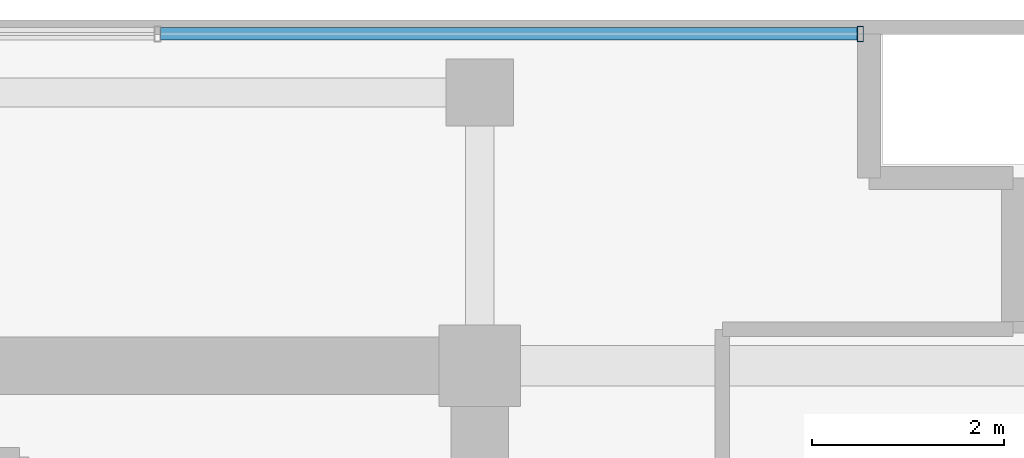
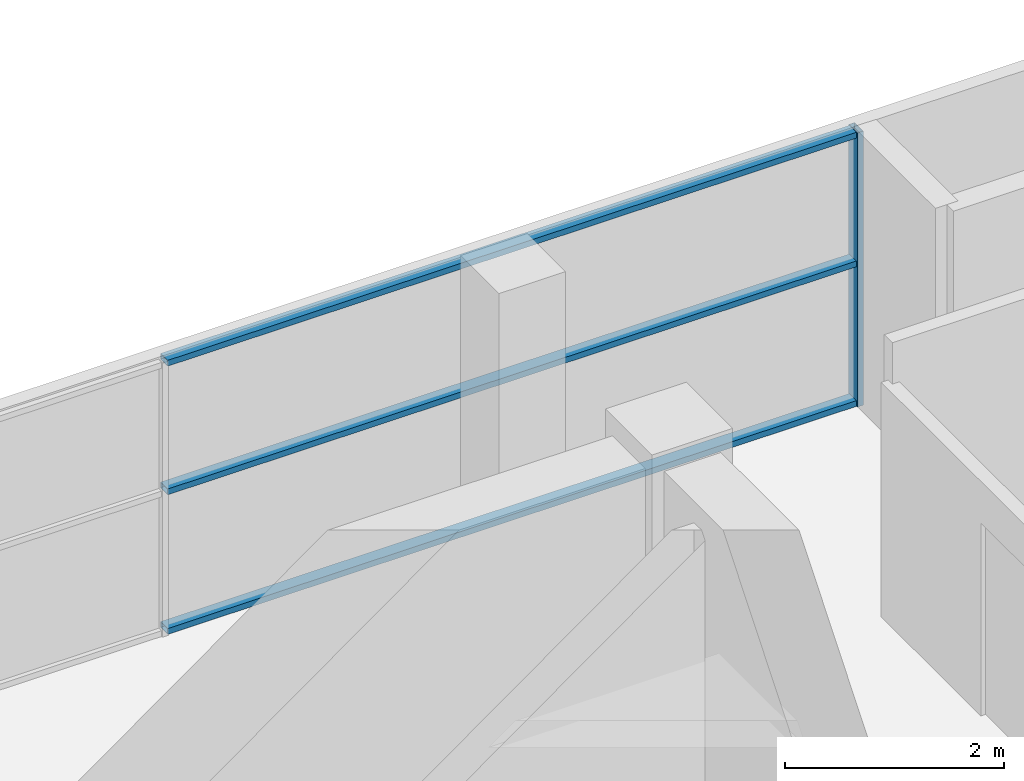
# One storey, part 21 of 29: 4 members, 1 element without a shape of its own.
"""IFC4 building model written with IfcOpenShell, lengths in metres."""

from ifc_helpers import new_model, si_unit, direction, frame, origin, origin_2d, place, context, subcontext, project, spatial, hollow_rectangle, extrude, source, transform, mapped, material, layer, layer_set, material_profile, profile_set, type_object, element, aggregate, save


model = new_model("IFC4")

# Units and contexts
model_context = context("Model", 3, precision=1e-05, world=origin(), true_north=direction((0.0, 1.0)))
body_context = subcontext(model_context, "Body", "Model", "MODEL_VIEW")
ifc_project = project(units=[si_unit("LENGTHUNIT", "METRE"), si_unit("AREAUNIT", "SQUARE_METRE"), si_unit("VOLUMEUNIT", "CUBIC_METRE"), si_unit("PLANEANGLEUNIT", "RADIAN"), si_unit("MASSUNIT", "GRAM", prefix="KILO")], contexts=[model_context])

# Site, building, storey
site_placement = place(None, origin())
site = spatial("IfcSite", under=ifc_project, at=site_placement, CompositionType="ELEMENT")
building_placement = place(site_placement, origin())
building = spatial("IfcBuilding", under=site, at=building_placement, Name="Zarnakvel Exchange Tower", CompositionType="ELEMENT")
storey_placement = place(building_placement, frame((0.0, 0.0, 258.39990234375)))
storey = spatial("IfcBuildingStorey", under=building, at=storey_placement, Name="L73", CompositionType="ELEMENT", Elevation=258.39990234375)

# Curtain wall, members
ifc_material = material(Name="Architectural Bronze Anodised Aluminium", Category="aluminium")
ifc_layer = layer(ifc_material, 0.159912109375)
ifc_layer_set = layer_set([ifc_layer], Name="Architectural Bronze Anodised Aluminium")
curtain_wall_type = type_object("IfcCurtainWallType", Name="CW-06", PredefinedType="NOTDEFINED", material=ifc_layer_set)
curtain_wall_placement = place(storey_placement, origin())
curtain_wall = element("IfcCurtainWall", 1, at=curtain_wall_placement, inside=storey, type_object=curtain_wall_type, Name="L73 Curtain Wall CW-L73-N1 (CW-06)", PredefinedType="NOTDEFINED")
ifc_material_profile_1 = material_profile(ifc_material, hollow_rectangle(XDim=0.159912109375, YDim=0.06494140625, WallThickness=0.00390625, at=origin_2d()))
ifc_profile_set_1 = profile_set([ifc_material_profile_1], Name="Architectural Bronze Anodised Aluminium")
member_type_1 = type_object("IfcMemberType", Name="CWM-06", PredefinedType="MULLION", material=ifc_profile_set_1)
shared_shape_1 = source(origin(), body_context, "Body", "SweptSolid", [
    extrude(hollow_rectangle(XDim=0.159912109375, YDim=0.06494140625, WallThickness=0.00390625, at=origin_2d()), origin(), (0.0, 0.0, 1.0), 3.05517578125),
])
member_1_placement = place(storey_placement, frame((18.367431640625, 16.9599609375, 0.0), z_axis=(0.0, 0.0, 1.0), x_axis=(0.0, 1.0, 0.0)))
member_1 = element("IfcMember", 2, at=member_1_placement, type_object=member_type_1, Name="CW-06 mullion 6", PredefinedType="MULLION", context=body_context, shape_type="MappedRepresentation", body=[
    mapped(shared_shape_1, transform((0.0, 0.0, 0.0), x_axis=(1.0, 0.0, 0.0), y_axis=(0.0, 1.0, 0.0), z_axis=(0.0, 0.0, 1.0), scale=1.0)),
])
ifc_material_profile_2 = material_profile(ifc_material, hollow_rectangle(XDim=0.1298828125, YDim=0.06494140625, WallThickness=0.00390625, at=origin_2d()))
ifc_profile_set_2 = profile_set([ifc_material_profile_2], Name="Architectural Bronze Anodised Aluminium")
member_type_2 = type_object("IfcMemberType", Name="CWT-06", PredefinedType="USERDEFINED", material=ifc_profile_set_2)
shared_shape_2 = source(origin(), body_context, "Body", "SweptSolid", [
    extrude(hollow_rectangle(XDim=0.1298828125, YDim=0.06494140625, WallThickness=0.00390625, at=origin_2d()), origin(), (0.0, 0.0, 1.0), 7.262451171875),
])
member_2_placement = place(storey_placement, frame((11.072509765625, 16.9599609375, 0.03271484375), z_axis=(1.0, 0.0, 0.0), x_axis=(0.0, 1.0, 0.0)))
member_2 = element("IfcMember", 3, at=member_2_placement, type_object=member_type_2, Name="CW-06 transom 5.1", ObjectType="TRANSOM", PredefinedType="USERDEFINED", context=body_context, shape_type="MappedRepresentation", body=[
    mapped(shared_shape_2, transform((0.0, 0.0, 0.0), x_axis=(1.0, 0.0, 0.0), y_axis=(0.0, 1.0, 0.0), z_axis=(0.0, 0.0, 1.0), scale=1.0)),
])
member_3_placement = place(storey_placement, frame((11.072509765625, 16.9599609375, 1.588623046875), z_axis=(1.0, 0.0, 0.0), x_axis=(0.0, 1.0, 0.0)))
member_3 = element("IfcMember", 4, at=member_3_placement, type_object=member_type_2, Name="CW-06 transom 5.2", ObjectType="TRANSOM", PredefinedType="USERDEFINED", context=body_context, shape_type="MappedRepresentation", body=[
    mapped(shared_shape_2, transform((0.0, 0.0, 0.0), x_axis=(1.0, 0.0, 0.0), y_axis=(0.0, 1.0, 0.0), z_axis=(0.0, 0.0, 1.0), scale=1.0)),
])
member_4_placement = place(storey_placement, frame((11.072509765625, 16.9599609375, 3.022705078125), z_axis=(1.0, 0.0, 0.0), x_axis=(0.0, 1.0, 0.0)))
member_4 = element("IfcMember", 5, at=member_4_placement, type_object=member_type_2, Name="CW-06 transom 5.3", ObjectType="TRANSOM", PredefinedType="USERDEFINED", context=body_context, shape_type="MappedRepresentation", body=[
    mapped(shared_shape_2, transform((0.0, 0.0, 0.0), x_axis=(1.0, 0.0, 0.0), y_axis=(0.0, 1.0, 0.0), z_axis=(0.0, 0.0, 1.0), scale=1.0)),
])
aggregate(curtain_wall, [member_1, member_2, member_3, member_4])

save(model, "model.ifc")
